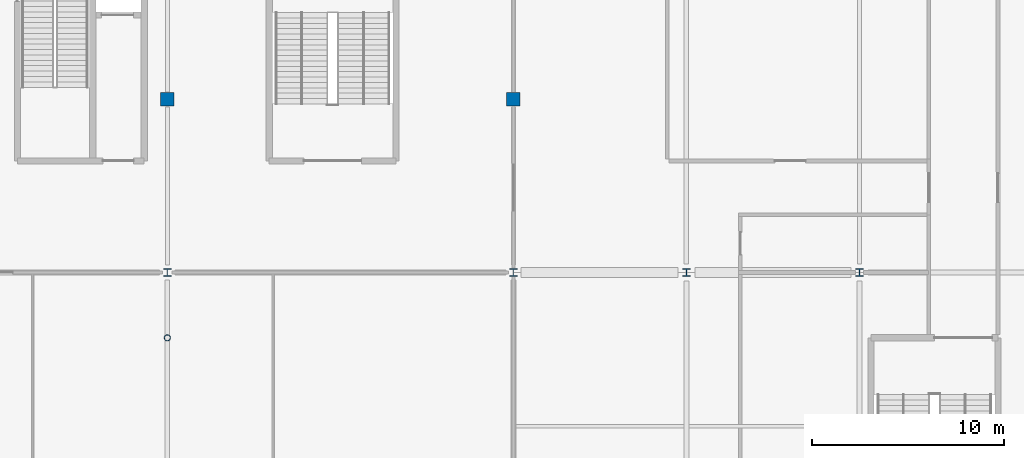
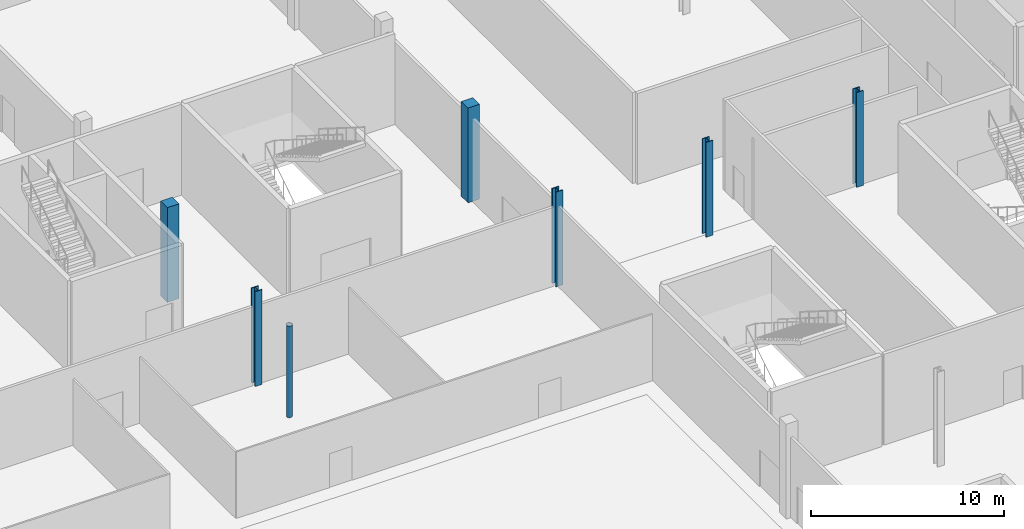
# One storey, part 13 of 84: 7 columns.
"""IFC4 building model written with IfcOpenShell, lengths in metres."""

from ifc_helpers import new_model, si_unit, direction, frame, origin, origin_2d, place, context, subcontext, project, spatial, rectangle, hollow_circle, i_section, extrude, material, material_profile, profile_set, type_object, element, save


model = new_model("IFC4")

# Units and contexts
model_context = context("Model", 3, precision=1e-05, world=origin(), true_north=direction((0.0, 1.0)))
body_context = subcontext(model_context, "Body", "Model", "MODEL_VIEW")
ifc_project = project(units=[si_unit("LENGTHUNIT", "METRE"), si_unit("AREAUNIT", "SQUARE_METRE"), si_unit("VOLUMEUNIT", "CUBIC_METRE"), si_unit("PLANEANGLEUNIT", "RADIAN"), si_unit("MASSUNIT", "GRAM", prefix="KILO")], contexts=[model_context])

# Site, building, storey
site_placement = place(None, origin())
site = spatial("IfcSite", under=ifc_project, at=site_placement, CompositionType="ELEMENT")
building_placement = place(site_placement, origin())
building = spatial("IfcBuilding", under=site, at=building_placement, Name="Kisiwana Market Hall", CompositionType="ELEMENT")
storey_placement = place(building_placement, origin())
storey = spatial("IfcBuildingStorey", under=building, at=storey_placement, Name="L00", CompositionType="ELEMENT", Elevation=0.0)

# Columns
ifc_material_1 = material(Name="Concrete C40/50", Category="concrete")
ifc_material_profile_1 = material_profile(ifc_material_1, rectangle(XDim=0.699951171875, YDim=0.699951171875, at=origin_2d()), Name="RC 700x700")
ifc_profile_set_1 = profile_set([ifc_material_profile_1], Name="Concrete C40/50")
column_type_1 = type_object("IfcColumnType", Name="COL-RC-POD-700", PredefinedType="COLUMN", material=ifc_profile_set_1)
for number, where, z_axis, x_axis, name in (
    (1, (135.0, 93.0, 0.0), (0.0, 0.0, 1.0), (1.0, 0.0, 0.0), "Column M/16 (L00) C-0280"),
    (2, (153.0, 93.0, 0.0), (0.0, 0.0, 1.0), (1.0, 0.0, 0.0), "Column M/18 (L00) C-0291"),
):
    element("IfcColumn", number, at=place(storey_placement, frame(where, z_axis=z_axis, x_axis=x_axis)), inside=storey, type_object=column_type_1, Name=name, PredefinedType="COLUMN", context=body_context, shape_type="SweptSolid", body=[
        extrude(rectangle(XDim=0.699951171875, YDim=0.699951171875, at=origin_2d()), origin(), (0.0, 0.0, 1.0), 6.0),
    ])
ifc_material_2 = material(Name="Steel S355", Category="steel")
ifc_material_profile_2 = material_profile(ifc_material_2, hollow_circle(Radius=0.161865234375, WallThickness=0.01611328125, at=origin_2d()), Name="CHS 323.9x16.0")
ifc_profile_set_2 = profile_set([ifc_material_profile_2], Name="Steel S355")
column_type_2 = type_object("IfcColumnType", Name="COL-STL-CHS324", PredefinedType="COLUMN", material=ifc_profile_set_2)
column_placement = place(storey_placement, frame((135.0, 80.60009765625, 0.0), z_axis=(0.0, 0.0, 1.0), x_axis=(1.0, 0.0, 0.0)))
element("IfcColumn", 3, at=column_placement, inside=storey, type_object=column_type_2, Name="Gallery post L/16 (L00) C-0343", PredefinedType="COLUMN", context=body_context, shape_type="SweptSolid", body=[
    extrude(hollow_circle(Radius=0.161865234375, WallThickness=0.01611328125, at=origin_2d()), origin(), (0.0, 0.0, 1.0), 5.800048828125),
])
ifc_material_3 = material(Name="Steel S355", Category="steel")
ifc_material_profile_3 = material_profile(ifc_material_3, i_section(OverallWidth=0.412109375, OverallDepth=0.43505859375, WebThickness=0.035888671875, FlangeThickness=0.05810546875, at=origin_2d()), Name="HD 400x463")
ifc_profile_set_3 = profile_set([ifc_material_profile_3], Name="Steel S355")
column_type_3 = type_object("IfcColumnType", Name="COL-STL-HD463", PredefinedType="COLUMN", material=ifc_profile_set_3)
for number, where, z_axis, x_axis, name in (
    (4, (135.0, 84.0, 0.0), (0.0, 0.0, 1.0), (1.0, 0.0, 0.0), "Column L/16 (L00) C-0279"),
    (5, (153.0, 84.0, 0.0), (0.0, 0.0, 1.0), (1.0, 0.0, 0.0), "Column L/18 (L00) C-0290"),
    (6, (162.0, 84.0, 0.0), (0.0, 0.0, 1.0), (1.0, 0.0, 0.0), "Column L/19 (L00) C-0300"),
    (7, (171.0, 84.0, 0.0), (0.0, 0.0, 1.0), (1.0, 0.0, 0.0), "Column L/20 (L00) C-0310"),
):
    element("IfcColumn", number, at=place(storey_placement, frame(where, z_axis=z_axis, x_axis=x_axis)), inside=storey, type_object=column_type_3, Name=name, PredefinedType="COLUMN", context=body_context, shape_type="SweptSolid", body=[
        extrude(i_section(OverallWidth=0.412109375, OverallDepth=0.43505859375, WebThickness=0.035888671875, FlangeThickness=0.05810546875, at=origin_2d()), origin(), (0.0, 0.0, 1.0), 6.0),
    ])

save(model, "model.ifc")
